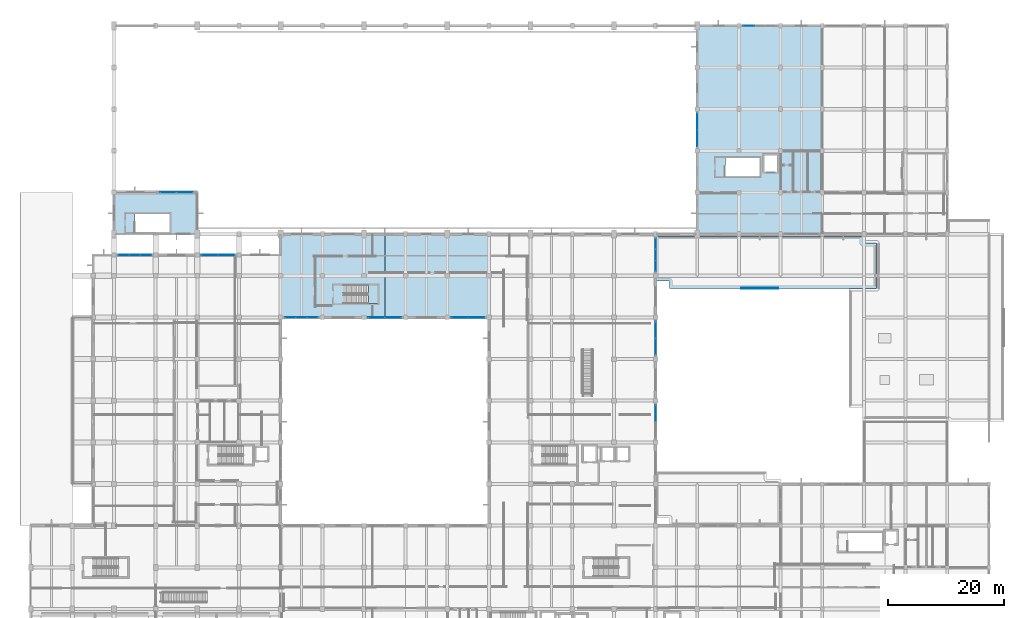
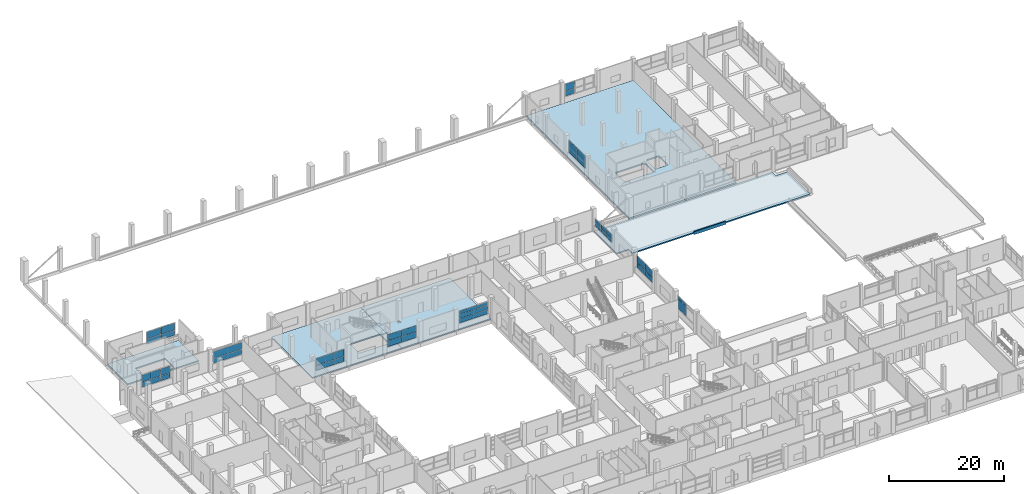
# One storey, part 113 of 140: 49 plates, 6 slabs, 12 elements without a shape of their own.
"""IFC4 building model written with IfcOpenShell, lengths in metres."""

from ifc_helpers import new_model, si_unit, direction, frame, origin, origin_2d, place, context, subcontext, project, spatial, polyline, rectangle, outline, extrude, material, layer, layer_set, type_object, element, aggregate, save


model = new_model("IFC4")

# Units and contexts
model_context = context("Model", 3, precision=1e-05, world=origin(), true_north=direction((0.0, 1.0)))
body_context = subcontext(model_context, "Body", "Model", "MODEL_VIEW")
ifc_project = project(units=[si_unit("LENGTHUNIT", "METRE"), si_unit("AREAUNIT", "SQUARE_METRE"), si_unit("VOLUMEUNIT", "CUBIC_METRE"), si_unit("PLANEANGLEUNIT", "RADIAN"), si_unit("MASSUNIT", "GRAM", prefix="KILO")], contexts=[model_context])

# Site, building, storey
site_placement = place(None, origin())
site = spatial("IfcSite", under=ifc_project, at=site_placement, CompositionType="ELEMENT")
building_placement = place(site_placement, origin())
building = spatial("IfcBuilding", under=site, at=building_placement, Name="Seraya Terrace Polytechnic", CompositionType="ELEMENT")
storey_placement = place(building_placement, frame((0.0, 0.0, 9.60009765625)))
storey = spatial("IfcBuildingStorey", under=building, at=storey_placement, Name="L02", CompositionType="ELEMENT", Elevation=9.60009765625)

# Curtain wall, plates
ifc_material_1 = material(Name="Anodised aluminium EN AW-6063 T6", Category="aluminium")
ifc_layer_1 = layer(ifc_material_1, 0.179931640625, Name="CW-22")
ifc_layer_set_1 = layer_set([ifc_layer_1], Name="Anodised aluminium EN AW-6063 T6")
curtain_wall_type_1 = type_object("IfcCurtainWallType", Name="CW-22", PredefinedType="NOTDEFINED", material=ifc_layer_set_1)
curtain_wall_1_placement = place(storey_placement, origin())
curtain_wall_1 = element("IfcCurtainWall", 1, at=curtain_wall_1_placement, inside=storey, type_object=curtain_wall_type_1, Name="Unitised curtain wall CW-22 (CW-L02-058)", PredefinedType="NOTDEFINED")
ifc_material_2 = material(Name="Laminated solar-control Low-E double glazing", Category="glass")
ifc_layer_2 = layer(ifc_material_2, 0.028076171875, Name="CWP-01")
ifc_layer_set_2 = layer_set([ifc_layer_2], Name="Laminated solar-control Low-E double glazing")
plate_type_1 = type_object("IfcPlateType", Name="CWP-01", PredefinedType="CURTAIN_PANEL", material=ifc_layer_set_2)
plate_1_placement = place(storey_placement, frame((30.976318359375, 75.60009765625, 1.2998046875), z_axis=(0.0, 0.0, 1.0), x_axis=(1.0, 0.0, 0.0)))
plate_1 = element("IfcPlate", 2, at=plate_1_placement, type_object=plate_type_1, Name="CW-22 panel 1.1", PredefinedType="CURTAIN_PANEL", context=body_context, shape_type="SweptSolid", body=[
    extrude(rectangle(XDim=2.782470703125, YDim=0.028076171875, at=origin_2d()), origin(), (0.0, 0.0, 1.0), 1.031494140625),
])
plate_2_placement = place(storey_placement, frame((30.976318359375, 75.60009765625, 2.391357421875), z_axis=(0.0, 0.0, 1.0), x_axis=(1.0, 0.0, 0.0)))
plate_2 = element("IfcPlate", 3, at=plate_2_placement, type_object=plate_type_1, Name="CW-22 panel 1.2", PredefinedType="CURTAIN_PANEL", context=body_context, shape_type="SweptSolid", body=[
    extrude(rectangle(XDim=2.782470703125, YDim=0.028076171875, at=origin_2d()), origin(), (0.0, 0.0, 1.0), 1.45849609375),
])
plate_3_placement = place(storey_placement, frame((33.82373046875, 75.60009765625, 1.2998046875), z_axis=(0.0, 0.0, 1.0), x_axis=(1.0, 0.0, 0.0)))
plate_3 = element("IfcPlate", 4, at=plate_3_placement, type_object=plate_type_1, Name="CW-22 panel 2.1", PredefinedType="CURTAIN_PANEL", context=body_context, shape_type="SweptSolid", body=[
    extrude(rectangle(XDim=2.782470703125, YDim=0.028076171875, at=origin_2d()), origin(), (0.0, 0.0, 1.0), 1.031494140625),
])
plate_4_placement = place(storey_placement, frame((33.82373046875, 75.60009765625, 2.391357421875), z_axis=(0.0, 0.0, 1.0), x_axis=(1.0, 0.0, 0.0)))
plate_4 = element("IfcPlate", 5, at=plate_4_placement, type_object=plate_type_1, Name="CW-22 panel 2.2", PredefinedType="CURTAIN_PANEL", context=body_context, shape_type="SweptSolid", body=[
    extrude(rectangle(XDim=2.782470703125, YDim=0.028076171875, at=origin_2d()), origin(), (0.0, 0.0, 1.0), 1.45849609375),
])
aggregate(curtain_wall_1, [plate_1, plate_2, plate_3, plate_4])

ifc_layer_3 = layer(ifc_material_1, 0.179931640625, Name="CW-25")
ifc_layer_set_3 = layer_set([ifc_layer_3], Name="Anodised aluminium EN AW-6063 T6")
curtain_wall_type_2 = type_object("IfcCurtainWallType", Name="CW-25", PredefinedType="NOTDEFINED", material=ifc_layer_set_3)
curtain_wall_2_placement = place(storey_placement, origin())
curtain_wall_2 = element("IfcCurtainWall", 6, at=curtain_wall_2_placement, inside=storey, type_object=curtain_wall_type_2, Name="Unitised curtain wall CW-25 (CW-L02-061)", PredefinedType="NOTDEFINED")
plate_5_placement = place(storey_placement, frame((108.0, 48.2236328125, 1.2998046875), z_axis=(0.0, 0.0, 1.0), x_axis=(0.0, -1.0, 0.0)))
plate_5 = element("IfcPlate", 7, at=plate_5_placement, type_object=plate_type_1, Name="CW-25 panel 1.1", PredefinedType="CURTAIN_PANEL", context=body_context, shape_type="SweptSolid", body=[
    extrude(rectangle(XDim=2.782470703125, YDim=0.028076171875, at=origin_2d()), origin(), (0.0, 0.0, 1.0), 2.06005859375),
])
plate_6_placement = place(storey_placement, frame((108.0, 48.2236328125, 3.419921875), z_axis=(0.0, 0.0, 1.0), x_axis=(0.0, -1.0, 0.0)))
plate_6 = element("IfcPlate", 8, at=plate_6_placement, type_object=plate_type_1, Name="CW-25 panel 1.2", PredefinedType="CURTAIN_PANEL", context=body_context, shape_type="SweptSolid", body=[
    extrude(rectangle(XDim=2.782470703125, YDim=0.028076171875, at=origin_2d()), origin(), (0.0, 0.0, 1.0), 0.530029296875),
])
aggregate(curtain_wall_2, [plate_5, plate_6])

ifc_layer_4 = layer(ifc_material_1, 0.179931640625, Name="CW-13")
ifc_layer_set_4 = layer_set([ifc_layer_4], Name="Anodised aluminium EN AW-6063 T6")
curtain_wall_type_3 = type_object("IfcCurtainWallType", Name="CW-13", PredefinedType="NOTDEFINED", material=ifc_layer_set_4)
curtain_wall_3_placement = place(storey_placement, origin())
curtain_wall_3 = element("IfcCurtainWall", 9, at=curtain_wall_3_placement, inside=storey, type_object=curtain_wall_type_3, Name="Unitised curtain wall CW-13 (CW-L02-085)", PredefinedType="NOTDEFINED")
plate_7_placement = place(storey_placement, frame((48.703857421875, 64.800048828125, 1.2998046875), z_axis=(0.0, 0.0, 1.0), x_axis=(-1.0, 0.0, 0.0)))
plate_7 = element("IfcPlate", 10, at=plate_7_placement, type_object=plate_type_1, Name="CW-13 panel 1.1", PredefinedType="CURTAIN_PANEL", context=body_context, shape_type="SweptSolid", body=[
    extrude(rectangle(XDim=1.822509765625, YDim=0.028076171875, at=origin_2d()), origin(), (0.0, 0.0, 1.0), 1.031494140625),
])
plate_8_placement = place(storey_placement, frame((48.703857421875, 64.800048828125, 2.391357421875), z_axis=(0.0, 0.0, 1.0), x_axis=(-1.0, 0.0, 0.0)))
plate_8 = element("IfcPlate", 11, at=plate_8_placement, type_object=plate_type_1, Name="CW-13 panel 1.2", PredefinedType="CURTAIN_PANEL", context=body_context, shape_type="SweptSolid", body=[
    extrude(rectangle(XDim=1.822509765625, YDim=0.028076171875, at=origin_2d()), origin(), (0.0, 0.0, 1.0), 1.45849609375),
])
plate_9_placement = place(storey_placement, frame((46.800048828125, 64.800048828125, 1.2998046875), z_axis=(0.0, 0.0, 1.0), x_axis=(-1.0, 0.0, 0.0)))
plate_9 = element("IfcPlate", 12, at=plate_9_placement, type_object=plate_type_1, Name="CW-13 panel 2.1", PredefinedType="CURTAIN_PANEL", context=body_context, shape_type="SweptSolid", body=[
    extrude(rectangle(XDim=1.85498046875, YDim=0.028076171875, at=origin_2d()), origin(), (0.0, 0.0, 1.0), 1.031494140625),
])
plate_10_placement = place(storey_placement, frame((46.800048828125, 64.800048828125, 2.391357421875), z_axis=(0.0, 0.0, 1.0), x_axis=(-1.0, 0.0, 0.0)))
plate_10 = element("IfcPlate", 13, at=plate_10_placement, type_object=plate_type_1, Name="CW-13 panel 2.2", PredefinedType="CURTAIN_PANEL", context=body_context, shape_type="SweptSolid", body=[
    extrude(rectangle(XDim=1.85498046875, YDim=0.028076171875, at=origin_2d()), origin(), (0.0, 0.0, 1.0), 1.45849609375),
])
plate_11_placement = place(storey_placement, frame((44.896240234375, 64.800048828125, 1.2998046875), z_axis=(0.0, 0.0, 1.0), x_axis=(-1.0, 0.0, 0.0)))
plate_11 = element("IfcPlate", 14, at=plate_11_placement, type_object=plate_type_1, Name="CW-13 panel 3.1", PredefinedType="CURTAIN_PANEL", context=body_context, shape_type="SweptSolid", body=[
    extrude(rectangle(XDim=1.822509765625, YDim=0.028076171875, at=origin_2d()), origin(), (0.0, 0.0, 1.0), 1.031494140625),
])
plate_12_placement = place(storey_placement, frame((44.896240234375, 64.800048828125, 2.391357421875), z_axis=(0.0, 0.0, 1.0), x_axis=(-1.0, 0.0, 0.0)))
plate_12 = element("IfcPlate", 15, at=plate_12_placement, type_object=plate_type_1, Name="CW-13 panel 3.2", PredefinedType="CURTAIN_PANEL", context=body_context, shape_type="SweptSolid", body=[
    extrude(rectangle(XDim=1.822509765625, YDim=0.028076171875, at=origin_2d()), origin(), (0.0, 0.0, 1.0), 1.45849609375),
])
aggregate(curtain_wall_3, [plate_7, plate_8, plate_9, plate_10, plate_11, plate_12])

ifc_layer_5 = layer(ifc_material_1, 0.179931640625, Name="CW-16")
ifc_layer_set_5 = layer_set([ifc_layer_5], Name="Anodised aluminium EN AW-6063 T6")
curtain_wall_type_4 = type_object("IfcCurtainWallType", Name="CW-16", PredefinedType="NOTDEFINED", material=ifc_layer_set_5)
curtain_wall_4_placement = place(storey_placement, origin())
curtain_wall_4 = element("IfcCurtainWall", 16, at=curtain_wall_4_placement, inside=storey, type_object=curtain_wall_type_4, Name="Unitised curtain wall CW-16 (CW-L02-088)", PredefinedType="NOTDEFINED")
plate_13_placement = place(storey_placement, frame((23.7763671875, 86.39990234375, 1.2998046875), z_axis=(0.0, 0.0, 1.0), x_axis=(1.0, 0.0, 0.0)))
plate_13 = element("IfcPlate", 17, at=plate_13_placement, type_object=plate_type_1, Name="CW-16 panel 1.1", PredefinedType="CURTAIN_PANEL", context=body_context, shape_type="SweptSolid", body=[
    extrude(rectangle(XDim=2.782470703125, YDim=0.028076171875, at=origin_2d()), origin(), (0.0, 0.0, 1.0), 1.069091796875),
])
plate_14_placement = place(storey_placement, frame((23.7763671875, 86.39990234375, 2.42919921875), z_axis=(0.0, 0.0, 1.0), x_axis=(1.0, 0.0, 0.0)))
plate_14 = element("IfcPlate", 18, at=plate_14_placement, type_object=plate_type_1, Name="CW-16 panel 1.2", PredefinedType="CURTAIN_PANEL", context=body_context, shape_type="SweptSolid", body=[
    extrude(rectangle(XDim=2.782470703125, YDim=0.028076171875, at=origin_2d()), origin(), (0.0, 0.0, 1.0), 1.5107421875),
])
plate_15_placement = place(storey_placement, frame((26.623779296875, 86.39990234375, 1.2998046875), z_axis=(0.0, 0.0, 1.0), x_axis=(1.0, 0.0, 0.0)))
plate_15 = element("IfcPlate", 19, at=plate_15_placement, type_object=plate_type_1, Name="CW-16 panel 2.1", PredefinedType="CURTAIN_PANEL", context=body_context, shape_type="SweptSolid", body=[
    extrude(rectangle(XDim=2.782470703125, YDim=0.028076171875, at=origin_2d()), origin(), (0.0, 0.0, 1.0), 1.069091796875),
])
plate_16_placement = place(storey_placement, frame((26.623779296875, 86.39990234375, 2.42919921875), z_axis=(0.0, 0.0, 1.0), x_axis=(1.0, 0.0, 0.0)))
plate_16 = element("IfcPlate", 20, at=plate_16_placement, type_object=plate_type_1, Name="CW-16 panel 2.2", PredefinedType="CURTAIN_PANEL", context=body_context, shape_type="SweptSolid", body=[
    extrude(rectangle(XDim=2.782470703125, YDim=0.028076171875, at=origin_2d()), origin(), (0.0, 0.0, 1.0), 1.5107421875),
])
aggregate(curtain_wall_4, [plate_13, plate_14, plate_15, plate_16])

curtain_wall_5_placement = place(storey_placement, origin())
curtain_wall_5 = element("IfcCurtainWall", 21, at=curtain_wall_5_placement, inside=storey, type_object=curtain_wall_type_1, Name="Unitised curtain wall CW-22 (CW-L02-094)", PredefinedType="NOTDEFINED")
plate_17_placement = place(storey_placement, frame((115.199951171875, 95.7763671875, 1.2998046875), z_axis=(0.0, 0.0, 1.0), x_axis=(0.0, 1.0, 0.0)))
plate_17 = element("IfcPlate", 22, at=plate_17_placement, type_object=plate_type_1, Name="CW-22 panel 1.1", PredefinedType="CURTAIN_PANEL", context=body_context, shape_type="SweptSolid", body=[
    extrude(rectangle(XDim=2.782470703125, YDim=0.028076171875, at=origin_2d()), origin(), (0.0, 0.0, 1.0), 1.069091796875),
])
plate_18_placement = place(storey_placement, frame((115.199951171875, 95.7763671875, 2.42919921875), z_axis=(0.0, 0.0, 1.0), x_axis=(0.0, 1.0, 0.0)))
plate_18 = element("IfcPlate", 23, at=plate_18_placement, type_object=plate_type_1, Name="CW-22 panel 1.2", PredefinedType="CURTAIN_PANEL", context=body_context, shape_type="SweptSolid", body=[
    extrude(rectangle(XDim=2.782470703125, YDim=0.028076171875, at=origin_2d()), origin(), (0.0, 0.0, 1.0), 1.5107421875),
])
plate_19_placement = place(storey_placement, frame((115.199951171875, 98.623779296875, 1.2998046875), z_axis=(0.0, 0.0, 1.0), x_axis=(0.0, 1.0, 0.0)))
plate_19 = element("IfcPlate", 24, at=plate_19_placement, type_object=plate_type_1, Name="CW-22 panel 2.1", PredefinedType="CURTAIN_PANEL", context=body_context, shape_type="SweptSolid", body=[
    extrude(rectangle(XDim=2.782470703125, YDim=0.028076171875, at=origin_2d()), origin(), (0.0, 0.0, 1.0), 1.069091796875),
])
plate_20_placement = place(storey_placement, frame((115.199951171875, 98.623779296875, 2.42919921875), z_axis=(0.0, 0.0, 1.0), x_axis=(0.0, 1.0, 0.0)))
plate_20 = element("IfcPlate", 25, at=plate_20_placement, type_object=plate_type_1, Name="CW-22 panel 2.2", PredefinedType="CURTAIN_PANEL", context=body_context, shape_type="SweptSolid", body=[
    extrude(rectangle(XDim=2.782470703125, YDim=0.028076171875, at=origin_2d()), origin(), (0.0, 0.0, 1.0), 1.5107421875),
])
aggregate(curtain_wall_5, [plate_17, plate_18, plate_19, plate_20])

ifc_layer_6 = layer(ifc_material_1, 0.179931640625, Name="CW-23")
ifc_layer_set_6 = layer_set([ifc_layer_6], Name="Anodised aluminium EN AW-6063 T6")
curtain_wall_type_5 = type_object("IfcCurtainWallType", Name="CW-23", PredefinedType="NOTDEFINED", material=ifc_layer_set_6)
curtain_wall_6_placement = place(storey_placement, origin())
curtain_wall_6 = element("IfcCurtainWall", 26, at=curtain_wall_6_placement, inside=storey, type_object=curtain_wall_type_5, Name="Unitised curtain wall CW-23 (CW-L02-059)", PredefinedType="NOTDEFINED")
ifc_layer_7 = layer(ifc_material_2, 0.031982421875, Name="CWP-02")
ifc_layer_set_7 = layer_set([ifc_layer_7], Name="Laminated solar-control Low-E double glazing")
plate_type_2 = type_object("IfcPlateType", Name="CWP-02", PredefinedType="CURTAIN_PANEL", material=ifc_layer_set_7)
plate_21_placement = place(storey_placement, frame((108.0, 77.5048828125, 1.300048828125), z_axis=(0.0, 0.0, 1.0), x_axis=(0.0, -1.0, 0.0)))
plate_21 = element("IfcPlate", 27, at=plate_21_placement, type_object=plate_type_2, Name="CW-23 panel 1.1", PredefinedType="CURTAIN_PANEL", context=body_context, shape_type="SweptSolid", body=[
    extrude(rectangle(XDim=1.830078125, YDim=0.031982421875, at=origin_2d()), origin(), (0.0, 0.0, 1.0), 0.63232421875),
])
plate_22_placement = place(storey_placement, frame((108.0, 77.5048828125, 1.9921875), z_axis=(0.0, 0.0, 1.0), x_axis=(0.0, -1.0, 0.0)))
plate_22 = element("IfcPlate", 28, at=plate_22_placement, type_object=plate_type_2, Name="CW-23 panel 1.2", PredefinedType="CURTAIN_PANEL", context=body_context, shape_type="SweptSolid", body=[
    extrude(rectangle(XDim=1.830078125, YDim=0.031982421875, at=origin_2d()), origin(), (0.0, 0.0, 1.0), 0.90771484375),
])
plate_23_placement = place(storey_placement, frame((108.0, 75.60009765625, 1.300048828125), z_axis=(0.0, 0.0, 1.0), x_axis=(0.0, -1.0, 0.0)))
plate_23 = element("IfcPlate", 29, at=plate_23_placement, type_object=plate_type_2, Name="CW-23 panel 2.1", PredefinedType="CURTAIN_PANEL", context=body_context, shape_type="SweptSolid", body=[
    extrude(rectangle(XDim=1.860107421875, YDim=0.031982421875, at=origin_2d()), origin(), (0.0, 0.0, 1.0), 0.63232421875),
])
plate_24_placement = place(storey_placement, frame((108.0, 75.60009765625, 1.9921875), z_axis=(0.0, 0.0, 1.0), x_axis=(0.0, -1.0, 0.0)))
plate_24 = element("IfcPlate", 30, at=plate_24_placement, type_object=plate_type_2, Name="CW-23 panel 2.2", PredefinedType="CURTAIN_PANEL", context=body_context, shape_type="SweptSolid", body=[
    extrude(rectangle(XDim=1.860107421875, YDim=0.031982421875, at=origin_2d()), origin(), (0.0, 0.0, 1.0), 0.90771484375),
])
plate_25_placement = place(storey_placement, frame((108.0, 73.695068359375, 1.300048828125), z_axis=(0.0, 0.0, 1.0), x_axis=(0.0, -1.0, 0.0)))
plate_25 = element("IfcPlate", 31, at=plate_25_placement, type_object=plate_type_2, Name="CW-23 panel 3.1", PredefinedType="CURTAIN_PANEL", context=body_context, shape_type="SweptSolid", body=[
    extrude(rectangle(XDim=1.830078125, YDim=0.031982421875, at=origin_2d()), origin(), (0.0, 0.0, 1.0), 0.63232421875),
])
plate_26_placement = place(storey_placement, frame((108.0, 73.695068359375, 1.9921875), z_axis=(0.0, 0.0, 1.0), x_axis=(0.0, -1.0, 0.0)))
plate_26 = element("IfcPlate", 32, at=plate_26_placement, type_object=plate_type_2, Name="CW-23 panel 3.2", PredefinedType="CURTAIN_PANEL", context=body_context, shape_type="SweptSolid", body=[
    extrude(rectangle(XDim=1.830078125, YDim=0.031982421875, at=origin_2d()), origin(), (0.0, 0.0, 1.0), 0.90771484375),
])
aggregate(curtain_wall_6, [plate_21, plate_22, plate_23, plate_24, plate_25, plate_26])

ifc_layer_8 = layer(ifc_material_1, 0.179931640625, Name="CW-11")
ifc_layer_set_8 = layer_set([ifc_layer_8], Name="Anodised aluminium EN AW-6063 T6")
curtain_wall_type_6 = type_object("IfcCurtainWallType", Name="CW-11", PredefinedType="NOTDEFINED", material=ifc_layer_set_8)
curtain_wall_7_placement = place(storey_placement, origin())
curtain_wall_7 = element("IfcCurtainWall", 33, at=curtain_wall_7_placement, inside=storey, type_object=curtain_wall_type_6, Name="Unitised curtain wall CW-11 (CW-L02-083)", PredefinedType="NOTDEFINED")
plate_27_placement = place(storey_placement, frame((77.02490234375, 64.800048828125, 1.300048828125), z_axis=(0.0, 0.0, 1.0), x_axis=(-1.0, 0.0, 0.0)))
plate_27 = element("IfcPlate", 34, at=plate_27_placement, type_object=plate_type_2, Name="CW-11 panel 1.1", PredefinedType="CURTAIN_PANEL", context=body_context, shape_type="SweptSolid", body=[
    extrude(rectangle(XDim=2.7900390625, YDim=0.031982421875, at=origin_2d()), origin(), (0.0, 0.0, 1.0), 0.87109375),
])
plate_28_placement = place(storey_placement, frame((77.02490234375, 64.800048828125, 2.23095703125), z_axis=(0.0, 0.0, 1.0), x_axis=(-1.0, 0.0, 0.0)))
plate_28 = element("IfcPlate", 35, at=plate_28_placement, type_object=plate_type_2, Name="CW-11 panel 1.2", PredefinedType="CURTAIN_PANEL", context=body_context, shape_type="SweptSolid", body=[
    extrude(rectangle(XDim=2.7900390625, YDim=0.031982421875, at=origin_2d()), origin(), (0.0, 0.0, 1.0), 0.901123046875),
])
plate_29_placement = place(storey_placement, frame((77.02490234375, 64.800048828125, 3.192138671875), z_axis=(0.0, 0.0, 1.0), x_axis=(-1.0, 0.0, 0.0)))
plate_29 = element("IfcPlate", 36, at=plate_29_placement, type_object=plate_type_2, Name="CW-11 panel 1.3", PredefinedType="CURTAIN_PANEL", context=body_context, shape_type="SweptSolid", body=[
    extrude(rectangle(XDim=2.7900390625, YDim=0.031982421875, at=origin_2d()), origin(), (0.0, 0.0, 1.0), 0.65771484375),
])
plate_30_placement = place(storey_placement, frame((74.175048828125, 64.800048828125, 1.300048828125), z_axis=(0.0, 0.0, 1.0), x_axis=(-1.0, 0.0, 0.0)))
plate_30 = element("IfcPlate", 37, at=plate_30_placement, type_object=plate_type_2, Name="CW-11 panel 2.1", PredefinedType="CURTAIN_PANEL", context=body_context, shape_type="SweptSolid", body=[
    extrude(rectangle(XDim=2.7900390625, YDim=0.031982421875, at=origin_2d()), origin(), (0.0, 0.0, 1.0), 0.87109375),
])
plate_31_placement = place(storey_placement, frame((74.175048828125, 64.800048828125, 2.23095703125), z_axis=(0.0, 0.0, 1.0), x_axis=(-1.0, 0.0, 0.0)))
plate_31 = element("IfcPlate", 38, at=plate_31_placement, type_object=plate_type_2, Name="CW-11 panel 2.2", PredefinedType="CURTAIN_PANEL", context=body_context, shape_type="SweptSolid", body=[
    extrude(rectangle(XDim=2.7900390625, YDim=0.031982421875, at=origin_2d()), origin(), (0.0, 0.0, 1.0), 0.901123046875),
])
plate_32_placement = place(storey_placement, frame((74.175048828125, 64.800048828125, 3.192138671875), z_axis=(0.0, 0.0, 1.0), x_axis=(-1.0, 0.0, 0.0)))
plate_32 = element("IfcPlate", 39, at=plate_32_placement, type_object=plate_type_2, Name="CW-11 panel 2.3", PredefinedType="CURTAIN_PANEL", context=body_context, shape_type="SweptSolid", body=[
    extrude(rectangle(XDim=2.7900390625, YDim=0.031982421875, at=origin_2d()), origin(), (0.0, 0.0, 1.0), 0.65771484375),
])
aggregate(curtain_wall_7, [plate_27, plate_28, plate_29, plate_30, plate_31, plate_32])

curtain_wall_8_placement = place(storey_placement, origin())
curtain_wall_8 = element("IfcCurtainWall", 40, at=curtain_wall_8_placement, inside=storey, type_object=curtain_wall_type_5, Name="Unitised curtain wall CW-23 (CW-L02-095)", PredefinedType="NOTDEFINED")
plate_33_placement = place(storey_placement, frame((124.094970703125, 115.199951171875, 1.2998046875), z_axis=(0.0, 0.0, 1.0), x_axis=(1.0, 0.0, 0.0)))
plate_33 = element("IfcPlate", 41, at=plate_33_placement, type_object=plate_type_2, Name="CW-23 panel 1.1", PredefinedType="CURTAIN_PANEL", context=body_context, shape_type="SweptSolid", body=[
    extrude(rectangle(XDim=1.830078125, YDim=0.031982421875, at=origin_2d()), origin(), (0.0, 0.0, 1.0), 1.052490234375),
])
plate_34_placement = place(storey_placement, frame((124.094970703125, 115.199951171875, 2.412109375), z_axis=(0.0, 0.0, 1.0), x_axis=(1.0, 0.0, 0.0)))
plate_34 = element("IfcPlate", 42, at=plate_34_placement, type_object=plate_type_2, Name="CW-23 panel 1.2", PredefinedType="CURTAIN_PANEL", context=body_context, shape_type="SweptSolid", body=[
    extrude(rectangle(XDim=1.830078125, YDim=0.031982421875, at=origin_2d()), origin(), (0.0, 0.0, 1.0), 1.487548828125),
])
aggregate(curtain_wall_8, [plate_33, plate_34])

ifc_layer_9 = layer(ifc_material_1, 0.179931640625, Name="CW-21")
ifc_layer_set_9 = layer_set([ifc_layer_9], Name="Anodised aluminium EN AW-6063 T6")
curtain_wall_type_7 = type_object("IfcCurtainWallType", Name="CW-21", PredefinedType="NOTDEFINED", material=ifc_layer_set_9)
curtain_wall_9_placement = place(storey_placement, origin())
curtain_wall_9 = element("IfcCurtainWall", 43, at=curtain_wall_9_placement, inside=storey, type_object=curtain_wall_type_7, Name="Unitised curtain wall CW-21 (CW-L02-057)", PredefinedType="NOTDEFINED")
ifc_layer_10 = layer(ifc_material_2, 0.035888671875, Name="CWP-03")
ifc_layer_set_10 = layer_set([ifc_layer_10], Name="Laminated solar-control Low-E double glazing")
plate_type_3 = type_object("IfcPlateType", Name="CWP-03", PredefinedType="CURTAIN_PANEL", material=ifc_layer_set_10)
plate_35_placement = place(storey_placement, frame((16.094970703125, 75.60009765625, 1.294921875), z_axis=(0.0, 0.0, 1.0), x_axis=(1.0, 0.0, 0.0)))
plate_35 = element("IfcPlate", 44, at=plate_35_placement, type_object=plate_type_3, Name="CW-21 panel 1.1", PredefinedType="CURTAIN_PANEL", context=body_context, shape_type="SweptSolid", body=[
    extrude(rectangle(XDim=1.830078125, YDim=0.035888671875, at=origin_2d()), origin(), (0.0, 0.0, 1.0), 1.038818359375),
])
plate_36_placement = place(storey_placement, frame((16.094970703125, 75.60009765625, 2.388671875), z_axis=(0.0, 0.0, 1.0), x_axis=(1.0, 0.0, 0.0)))
plate_36 = element("IfcPlate", 45, at=plate_36_placement, type_object=plate_type_3, Name="CW-21 panel 1.2", PredefinedType="CURTAIN_PANEL", context=body_context, shape_type="SweptSolid", body=[
    extrude(rectangle(XDim=1.830078125, YDim=0.035888671875, at=origin_2d()), origin(), (0.0, 0.0, 1.0), 1.466064453125),
])
plate_37_placement = place(storey_placement, frame((18.0, 75.60009765625, 1.294921875), z_axis=(0.0, 0.0, 1.0), x_axis=(1.0, 0.0, 0.0)))
plate_37 = element("IfcPlate", 46, at=plate_37_placement, type_object=plate_type_3, Name="CW-21 panel 2.1", PredefinedType="CURTAIN_PANEL", context=body_context, shape_type="SweptSolid", body=[
    extrude(rectangle(XDim=1.860107421875, YDim=0.035888671875, at=origin_2d()), origin(), (0.0, 0.0, 1.0), 1.038818359375),
])
plate_38_placement = place(storey_placement, frame((18.0, 75.60009765625, 2.388671875), z_axis=(0.0, 0.0, 1.0), x_axis=(1.0, 0.0, 0.0)))
plate_38 = element("IfcPlate", 47, at=plate_38_placement, type_object=plate_type_3, Name="CW-21 panel 2.2", PredefinedType="CURTAIN_PANEL", context=body_context, shape_type="SweptSolid", body=[
    extrude(rectangle(XDim=1.860107421875, YDim=0.035888671875, at=origin_2d()), origin(), (0.0, 0.0, 1.0), 1.466064453125),
])
plate_39_placement = place(storey_placement, frame((19.905029296875, 75.60009765625, 1.294921875), z_axis=(0.0, 0.0, 1.0), x_axis=(1.0, 0.0, 0.0)))
plate_39 = element("IfcPlate", 48, at=plate_39_placement, type_object=plate_type_3, Name="CW-21 panel 3.1", PredefinedType="CURTAIN_PANEL", context=body_context, shape_type="SweptSolid", body=[
    extrude(rectangle(XDim=1.830078125, YDim=0.035888671875, at=origin_2d()), origin(), (0.0, 0.0, 1.0), 1.038818359375),
])
plate_40_placement = place(storey_placement, frame((19.905029296875, 75.60009765625, 2.388671875), z_axis=(0.0, 0.0, 1.0), x_axis=(1.0, 0.0, 0.0)))
plate_40 = element("IfcPlate", 49, at=plate_40_placement, type_object=plate_type_3, Name="CW-21 panel 3.2", PredefinedType="CURTAIN_PANEL", context=body_context, shape_type="SweptSolid", body=[
    extrude(rectangle(XDim=1.830078125, YDim=0.035888671875, at=origin_2d()), origin(), (0.0, 0.0, 1.0), 1.466064453125),
])
aggregate(curtain_wall_9, [plate_35, plate_36, plate_37, plate_38, plate_39, plate_40])

ifc_layer_11 = layer(ifc_material_1, 0.179931640625, Name="CW-24")
ifc_layer_set_11 = layer_set([ifc_layer_11], Name="Anodised aluminium EN AW-6063 T6")
curtain_wall_type_8 = type_object("IfcCurtainWallType", Name="CW-24", PredefinedType="NOTDEFINED", material=ifc_layer_set_11)
curtain_wall_10_placement = place(storey_placement, origin())
curtain_wall_10 = element("IfcCurtainWall", 50, at=curtain_wall_10_placement, inside=storey, type_object=curtain_wall_type_8, Name="Unitised curtain wall CW-24 (CW-L02-060)", PredefinedType="NOTDEFINED")
plate_41_placement = place(storey_placement, frame((108.0, 62.625, 1.294921875), z_axis=(0.0, 0.0, 1.0), x_axis=(0.0, -1.0, 0.0)))
plate_41 = element("IfcPlate", 51, at=plate_41_placement, type_object=plate_type_3, Name="CW-24 panel 1.1", PredefinedType="CURTAIN_PANEL", context=body_context, shape_type="SweptSolid", body=[
    extrude(rectangle(XDim=2.7900390625, YDim=0.035888671875, at=origin_2d()), origin(), (0.0, 0.0, 1.0), 1.043212890625),
])
plate_42_placement = place(storey_placement, frame((108.0, 62.625, 2.39306640625), z_axis=(0.0, 0.0, 1.0), x_axis=(0.0, -1.0, 0.0)))
plate_42 = element("IfcPlate", 52, at=plate_42_placement, type_object=plate_type_3, Name="CW-24 panel 1.2", PredefinedType="CURTAIN_PANEL", context=body_context, shape_type="SweptSolid", body=[
    extrude(rectangle(XDim=2.7900390625, YDim=0.035888671875, at=origin_2d()), origin(), (0.0, 0.0, 1.0), 1.471923828125),
])
plate_43_placement = place(storey_placement, frame((108.0, 59.77490234375, 1.294921875), z_axis=(0.0, 0.0, 1.0), x_axis=(0.0, -1.0, 0.0)))
plate_43 = element("IfcPlate", 53, at=plate_43_placement, type_object=plate_type_3, Name="CW-24 panel 2.1", PredefinedType="CURTAIN_PANEL", context=body_context, shape_type="SweptSolid", body=[
    extrude(rectangle(XDim=2.7900390625, YDim=0.035888671875, at=origin_2d()), origin(), (0.0, 0.0, 1.0), 1.043212890625),
])
plate_44_placement = place(storey_placement, frame((108.0, 59.77490234375, 2.39306640625), z_axis=(0.0, 0.0, 1.0), x_axis=(0.0, -1.0, 0.0)))
plate_44 = element("IfcPlate", 54, at=plate_44_placement, type_object=plate_type_3, Name="CW-24 panel 2.2", PredefinedType="CURTAIN_PANEL", context=body_context, shape_type="SweptSolid", body=[
    extrude(rectangle(XDim=2.7900390625, YDim=0.035888671875, at=origin_2d()), origin(), (0.0, 0.0, 1.0), 1.471923828125),
])
aggregate(curtain_wall_10, [plate_41, plate_42, plate_43, plate_44])

ifc_layer_12 = layer(ifc_material_1, 0.179931640625, Name="CW-12")
ifc_layer_set_12 = layer_set([ifc_layer_12], Name="Anodised aluminium EN AW-6063 T6")
curtain_wall_type_9 = type_object("IfcCurtainWallType", Name="CW-12", PredefinedType="NOTDEFINED", material=ifc_layer_set_12)
curtain_wall_11_placement = place(storey_placement, origin())
curtain_wall_11 = element("IfcCurtainWall", 55, at=curtain_wall_11_placement, inside=storey, type_object=curtain_wall_type_9, Name="Unitised curtain wall CW-12 (CW-L02-084)", PredefinedType="NOTDEFINED")
plate_45_placement = place(storey_placement, frame((62.625, 64.800048828125, 1.294921875), z_axis=(0.0, 0.0, 1.0), x_axis=(-1.0, 0.0, 0.0)))
plate_45 = element("IfcPlate", 56, at=plate_45_placement, type_object=plate_type_3, Name="CW-12 panel 1.1", PredefinedType="CURTAIN_PANEL", context=body_context, shape_type="SweptSolid", body=[
    extrude(rectangle(XDim=2.7900390625, YDim=0.035888671875, at=origin_2d()), origin(), (0.0, 0.0, 1.0), 1.25244140625),
])
plate_46_placement = place(storey_placement, frame((62.625, 64.800048828125, 2.6025390625), z_axis=(0.0, 0.0, 1.0), x_axis=(-1.0, 0.0, 0.0)))
plate_46 = element("IfcPlate", 57, at=plate_46_placement, type_object=plate_type_3, Name="CW-12 panel 1.2", PredefinedType="CURTAIN_PANEL", context=body_context, shape_type="SweptSolid", body=[
    extrude(rectangle(XDim=2.7900390625, YDim=0.035888671875, at=origin_2d()), origin(), (0.0, 0.0, 1.0), 1.25244140625),
])
plate_47_placement = place(storey_placement, frame((59.77490234375, 64.800048828125, 1.294921875), z_axis=(0.0, 0.0, 1.0), x_axis=(-1.0, 0.0, 0.0)))
plate_47 = element("IfcPlate", 58, at=plate_47_placement, type_object=plate_type_3, Name="CW-12 panel 2.1", PredefinedType="CURTAIN_PANEL", context=body_context, shape_type="SweptSolid", body=[
    extrude(rectangle(XDim=2.7900390625, YDim=0.035888671875, at=origin_2d()), origin(), (0.0, 0.0, 1.0), 1.25244140625),
])
plate_48_placement = place(storey_placement, frame((59.77490234375, 64.800048828125, 2.6025390625), z_axis=(0.0, 0.0, 1.0), x_axis=(-1.0, 0.0, 0.0)))
plate_48 = element("IfcPlate", 59, at=plate_48_placement, type_object=plate_type_3, Name="CW-12 panel 2.2", PredefinedType="CURTAIN_PANEL", context=body_context, shape_type="SweptSolid", body=[
    extrude(rectangle(XDim=2.7900390625, YDim=0.035888671875, at=origin_2d()), origin(), (0.0, 0.0, 1.0), 1.25244140625),
])
aggregate(curtain_wall_11, [plate_45, plate_46, plate_47, plate_48])

# Plate
ifc_material_3 = material(Name="Precast concrete C40/50", Category="concrete")
ifc_layer_13 = layer(ifc_material_3, 0.159912109375, Name="FP-01")
ifc_layer_set_13 = layer_set([ifc_layer_13], Name="Precast concrete C40/50")
plate_type_4 = type_object("IfcPlateType", Name="FP-01", PredefinedType="SHEET", material=ifc_layer_set_13)
plate_49_placement = place(storey_placement, frame((126.0, 69.8701171875, -0.490234375), z_axis=(0.0, 0.0, 1.0), x_axis=(1.0, 0.0, 0.0)))
element("IfcPlate", 60, at=plate_49_placement, inside=storey, type_object=plate_type_4, Name="Sculpted white precast eave fascia ROOF-L02-NERIM South", PredefinedType="SHEET", context=body_context, shape_type="SweptSolid", body=[
    extrude(rectangle(XDim=6.39990234375, YDim=0.159912109375, at=origin_2d()), origin(), (0.0, 0.0, 1.0), 0.6201171875),
])

# Slabs
ifc_material_4 = material(Name="Concrete C40/50", Category="concrete")
ifc_layer_14 = layer(ifc_material_4, 0.2900390625, Name="FS-01")
ifc_layer_set_14 = layer_set([ifc_layer_14], Name="Concrete C40/50")
slab_type_1 = type_object("IfcSlabType", Name="FS-01", PredefinedType="FLOOR", material=ifc_layer_set_14)
slab_1_placement = place(storey_placement, frame((0.0, 0.0, -0.2900390625)))
element("IfcSlab", 61, at=slab_1_placement, inside=storey, type_object=slab_type_1, Name="Floor slab SLB-V1-METW-L02-S1 (FS-01)", PredefinedType="FLOOR", context=body_context, shape_type="SweptSolid", body=[
    extrude(outline(polyline([(14.4599609375, 79.260009765625), (14.4599609375, 86.340087890625), (28.739990234375, 86.340087890625), (28.739990234375, 79.260009765625), (14.4599609375, 79.260009765625)]), holes=[polyline([(24.0, 82.75), (18.0400390625, 82.75), (18.0400390625, 79.550048828125), (24.0, 79.550048828125), (24.0, 82.75)])]), origin(), (0.0, 0.0, 1.0), 0.2900390625),
])
slab_2_placement = place(storey_placement, frame((0.0, 0.0, -0.2900390625)))
element("IfcSlab", 62, at=slab_2_placement, inside=storey, type_object=slab_type_1, Name="Floor slab SLB-V1-ANNEX-L02-S1 (FS-01)", PredefinedType="FLOOR", context=body_context, shape_type="SweptSolid", body=[
    extrude(outline(polyline([(115.260009765625, 115.139892578125), (136.800048828125, 115.139892578125), (136.800048828125, 79.260009765625), (115.260009765625, 79.260009765625), (115.260009765625, 115.139892578125)]), holes=[polyline([(126.0, 92.39990234375), (120.0400390625, 92.39990234375), (120.0400390625, 89.199951171875), (126.0, 89.199951171875), (126.0, 92.39990234375)]), polyline([(129.199951171875, 93.0), (126.60009765625, 93.0), (126.60009765625, 89.800048828125), (129.199951171875, 89.800048828125), (129.199951171875, 93.0)])]), origin(), (0.0, 0.0, 1.0), 0.2900390625),
])
ifc_layer_15 = layer(ifc_material_4, 0.25, Name="FS-03")
ifc_layer_set_15 = layer_set([ifc_layer_15], Name="Concrete C40/50")
slab_type_2 = type_object("IfcSlabType", Name="FS-03", PredefinedType="FLOOR", material=ifc_layer_set_15)
slab_3_placement = place(storey_placement, frame((0.0, 0.0, -0.25)))
element("IfcSlab", 63, at=slab_3_placement, inside=storey, type_object=slab_type_2, Name="Floor slab SLB-V2-NWRIM-L02-S1 (FS-03)", PredefinedType="FLOOR", context=body_context, shape_type="SweptSolid", body=[
    extrude(outline(polyline([(43.260009765625, 79.139892578125), (61.199951171875, 79.139892578125), (61.199951171875, 64.860107421875), (43.260009765625, 64.860107421875), (43.260009765625, 79.139892578125)]), holes=[polyline([(60.0, 70.39990234375), (54.0400390625, 70.39990234375), (54.0400390625, 67.199951171875), (60.0, 67.199951171875), (60.0, 70.39990234375)])]), origin(), (0.0, 0.0, 1.0), 0.25),
])
slab_4_placement = place(storey_placement, frame((0.0, 0.0, -0.25)))
element("IfcSlab", 64, at=slab_4_placement, inside=storey, type_object=slab_type_2, Name="Floor slab SLB-V2-NWRIM-L02-S2 (FS-03)", PredefinedType="FLOOR", context=body_context, shape_type="SweptSolid", body=[
    extrude(outline(polyline([(79.139892578125, 79.139892578125), (79.139892578125, 64.860107421875), (61.205078125, 64.860107421875), (61.205078125, 79.139892578125), (79.139892578125, 79.139892578125)]), holes=[polyline([(64.550048828125, 72.25), (64.550048828125, 71.75), (65.050048828125, 71.75), (65.050048828125, 72.25), (64.550048828125, 72.25)])]), origin(), (0.0, 0.0, 1.0), 0.25),
])
ifc_layer_16 = layer(ifc_material_3, 0.25, Name="RS-01")
ifc_layer_set_16 = layer_set([ifc_layer_16], Name="Precast concrete C40/50")
slab_type_3 = type_object("IfcSlabType", Name="RS-01", PredefinedType="ROOF", material=ifc_layer_set_16)
slab_5_placement = place(storey_placement, frame((0.0, 0.0, -0.25)))
element("IfcSlab", 65, at=slab_5_placement, inside=storey, type_object=slab_type_3, Name="Sculpted overhanging precast roof plate ROOF-L02-NERIM", PredefinedType="ROOF", context=body_context, shape_type="SweptSolid", body=[
    extrude(outline(polyline([(110.39990234375, 71.073974609375), (108.0, 71.073974609375), (108.0, 78.89990234375), (143.800048828125, 78.89990234375), (143.800048828125, 77.6259765625), (146.199951171875, 77.6259765625), (146.199951171875, 69.800048828125), (110.39990234375, 69.800048828125), (110.39990234375, 71.073974609375)])), origin(), (0.0, 0.0, 1.0), 0.25),
])

# Stair, slab
stair_type = type_object("IfcStairType", Name="ST-T1", PredefinedType="HALF_TURN_STAIR", material=ifc_material_4)
stair_placement = place(storey_placement, origin())
stair = element("IfcStair", 66, at=stair_placement, inside=storey, type_object=stair_type, Name="L02 Protected exit stair ST-06", PredefinedType="HALF_TURN_STAIR")
ifc_layer_17 = layer(ifc_material_4, 0.199951171875, Name="SL-01")
ifc_layer_set_17 = layer_set([ifc_layer_17], Name="Concrete C40/50")
slab_type_4 = type_object("IfcSlabType", Name="SL-01", PredefinedType="LANDING", material=ifc_layer_set_17)
slab_6_placement = place(storey_placement, frame((0.0, 0.0, 2.199951171875)))
slab_6 = element("IfcSlab", 67, at=slab_6_placement, type_object=slab_type_4, Name="ST-06 landing 1", PredefinedType="LANDING", context=body_context, shape_type="SweptSolid", body=[
    extrude(outline(polyline([(58.35009765625, 67.199951171875), (60.0, 67.199951171875), (60.0, 70.39990234375), (58.35009765625, 70.39990234375), (58.35009765625, 67.199951171875)])), origin(), (0.0, 0.0, 1.0), 0.199951171875),
])
aggregate(stair, [slab_6])

save(model, "model.ifc")
